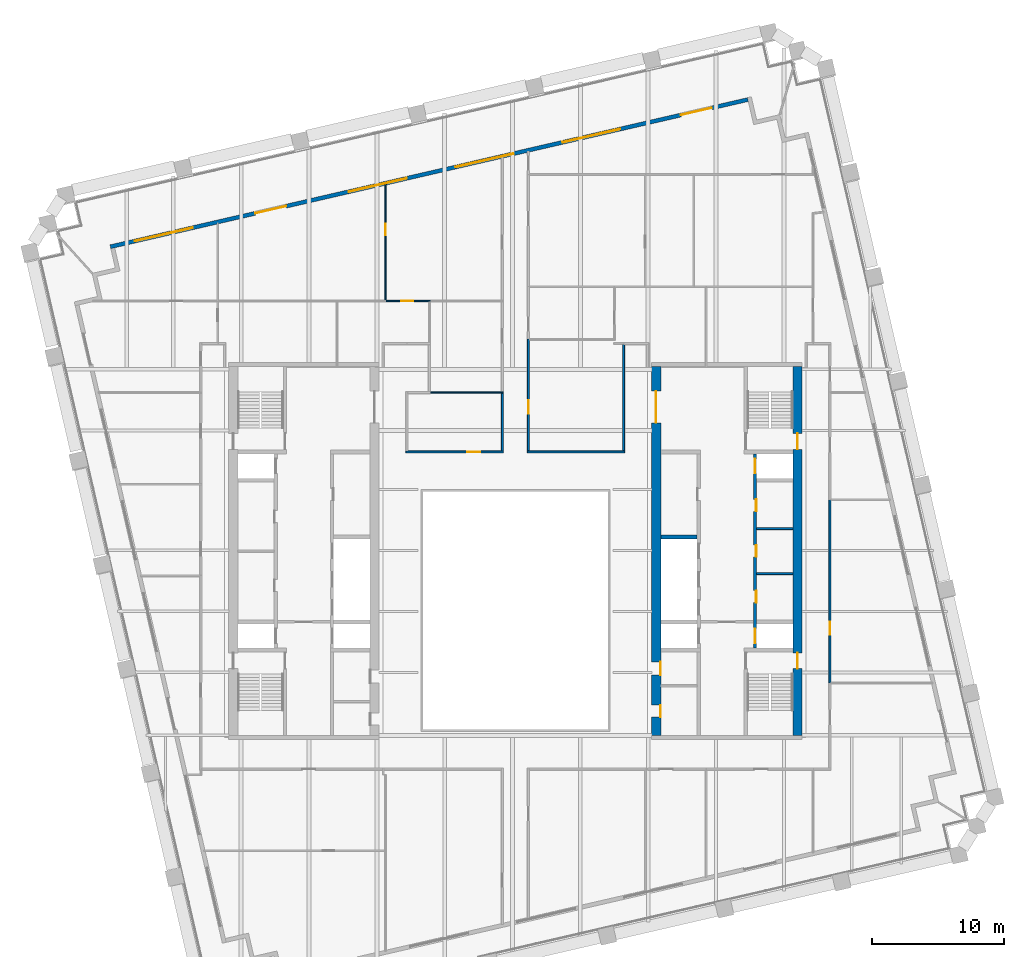
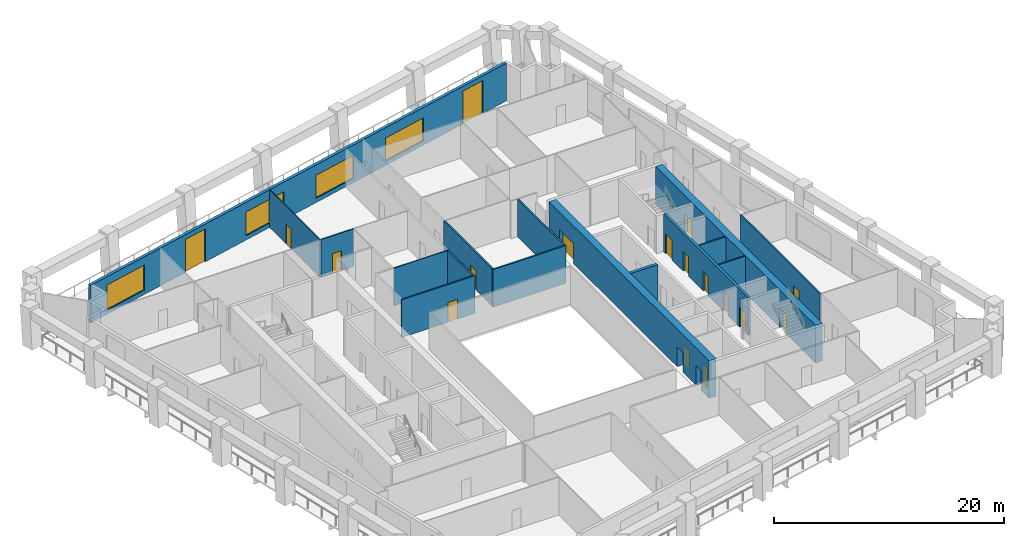
# One storey, part 7 of 10: 17 doors, 16 walls, 4 windows, 21 openings.
"""IFC4 building model written with IfcOpenShell, lengths in metres."""

from ifc_helpers import new_model, si_unit, direction, frame, frame_2d, origin, place, context, subcontext, project, spatial, rectangle, extrude, material, layer, layer_set, type_object, element, fill, save


model = new_model("IFC4")

# Units and contexts
model_context = context("Model", 3, precision=1e-05, world=origin(), true_north=direction((0.0, 1.0)))
body_context = subcontext(model_context, "Body", "Model", "MODEL_VIEW")
ifc_project = project(units=[si_unit("LENGTHUNIT", "METRE"), si_unit("AREAUNIT", "SQUARE_METRE"), si_unit("VOLUMEUNIT", "CUBIC_METRE"), si_unit("PLANEANGLEUNIT", "RADIAN"), si_unit("MASSUNIT", "GRAM", prefix="KILO")], contexts=[model_context])

# Site, building, storey
site_placement = place(None, origin())
site = spatial("IfcSite", under=ifc_project, at=site_placement, CompositionType="ELEMENT")
building_placement = place(site_placement, origin())
building = spatial("IfcBuilding", under=site, at=building_placement, Name="Ogive Exchange Tower", CompositionType="ELEMENT")
storey_placement = place(building_placement, frame((0.0, 0.0, 188.39990234375)))
storey = spatial("IfcBuildingStorey", under=building, at=storey_placement, Name="L41", CompositionType="ELEMENT", Elevation=188.39990234375)

# Walls
ifc_material_1 = material(Name="Gypsum board partition")
ifc_layer_1 = layer(ifc_material_1, 0.14990234375)
ifc_layer_set_1 = layer_set([ifc_layer_1], Name="Core room partition 150 gypsum")
wall_type_1 = type_object("IfcWallType", Name="Core room partition 150 gypsum", PredefinedType="PARTITIONING", material=ifc_layer_set_1)
for number, where, z_axis, x_axis, name in (
    (1, (18.25, 9.800048828125, 0.0), (0.0, 0.0, 1.0), (1.0, 0.0, 0.0), "E row A bay partition 1-1"),
    (2, (18.25, 13.199951171875, 0.0), (0.0, 0.0, 1.0), (1.0, 0.0, 0.0), "E row A bay partition 1-2"),
):
    element("IfcWall", number, at=place(storey_placement, frame(where, z_axis=z_axis, x_axis=x_axis)), inside=storey, type_object=wall_type_1, Name=name, PredefinedType="PARTITIONING", context=body_context, shape_type="SweptSolid", body=[
        extrude(rectangle(XDim=2.75, YDim=0.14990234375, at=frame_2d((1.375, 0.0))), origin(), (0.0, 0.0, 1.0), 4.0),
    ])

# Wall, opening, door
ifc_material_2 = material(Name="Fire partition EI 60 150")
ifc_layer_2 = layer(ifc_material_2, 0.14990234375)
ifc_layer_set_2 = layer_set([ifc_layer_2], Name="Fire partition EI 60 150")
wall_type_2 = type_object("IfcWallType", Name="Fire partition EI 60 150", PredefinedType="PARTITIONING", material=ifc_layer_set_2)
wall_1_placement = place(storey_placement, frame((-8.27490234375, 19.0, 0.0), z_axis=(0.0, 0.0, 1.0), x_axis=(1.0, 0.0, 0.0)))
wall_1 = element("IfcWall", 3, at=wall_1_placement, inside=storey, type_object=wall_type_2, Name="L41-PWL-028", PredefinedType="PARTITIONING", context=body_context, shape_type="SweptSolid", body=[
    extrude(rectangle(XDim=7.35986328125, YDim=0.14990234375, at=frame_2d((3.679931640625, 0.0))), origin(), (0.0, 0.0, 1.0), 4.0),
])
opening_1_placement = place(wall_1_placement, frame((4.635009765625, 0.0, 0.0)))
opening_1 = element("IfcOpeningElement", 4, at=opening_1_placement, cuts=wall_1, Name="Opening L41-I03", PredefinedType="OPENING", context=body_context, shape_type="SweptSolid", body=[
    extrude(rectangle(XDim=1.0, YDim=2.10009765625, at=frame_2d((0.5, 1.050048828125))), frame((0.0, 0.0849609375, 0.0), z_axis=(0.0, -1.0, 0.0), x_axis=(1.0, 0.0, 0.0)), (0.0, 0.0, 1.0), 0.169921875),
])
ifc_material_3 = material(Name="Fire door FD 30S 1000 x 2100")
door_type_1 = type_object("IfcDoorType", Name="Fire door FD 30S 1000 x 2100", OperationType="NOTDEFINED", PredefinedType="DOOR", material=ifc_material_3)
door_1_placement = place(opening_1_placement, origin())
door_1 = element("IfcDoor", 5, at=door_1_placement, inside=storey, type_object=door_type_1, Name="L41-IDR-003", ObjectType="DT3", OperationType="SINGLE_SWING_LEFT", OverallHeight=2.10009765625, OverallWidth=1.0, PredefinedType="DOOR", context=body_context, shape_type="SweptSolid", body=[
    extrude(rectangle(XDim=1.0, YDim=2.10009765625, at=frame_2d((0.5, 1.050048828125))), frame((0.0, 0.02490234375, 0.0), z_axis=(0.0, -1.0, 0.0), x_axis=(1.0, 0.0, 0.0)), (0.0, 0.0, 1.0), 0.050048828125),
])
fill(opening_1, door_1)

# Walls
wall_2_placement = place(storey_placement, frame((-0.989990234375, 19.074951171875, 0.0), z_axis=(0.0, 0.0, 1.0), x_axis=(0.0, 1.0, 0.0)))
element("IfcWall", 6, at=wall_2_placement, inside=storey, type_object=wall_type_2, Name="L41-PWL-038", PredefinedType="PARTITIONING", context=body_context, shape_type="SweptSolid", body=[
    extrude(rectangle(XDim=4.364990234375, YDim=0.14990234375, at=frame_2d((2.1826171875, 0.0))), origin(), (0.0, 0.0, 1.0), 4.0),
])
wall_3_placement = place(storey_placement, frame((0.9150390625, 19.0, 0.0), z_axis=(0.0, 0.0, 1.0), x_axis=(1.0, 0.0, 0.0)))
element("IfcWall", 7, at=wall_3_placement, inside=storey, type_object=wall_type_2, Name="L41-PWL-042", PredefinedType="PARTITIONING", context=body_context, shape_type="SweptSolid", body=[
    extrude(rectangle(XDim=7.349853515625, YDim=0.14990234375, at=frame_2d((3.6748046875, 0.0))), origin(), (0.0, 0.0, 1.0), 4.0),
])

# Wall, opening, door
wall_4_placement = place(storey_placement, frame((0.989990234375, 27.550048828125, 0.0), z_axis=(0.0, 0.0, 1.0), x_axis=(0.0, -1.0, 0.0)))
wall_4 = element("IfcWall", 8, at=wall_4_placement, inside=storey, type_object=wall_type_2, Name="L41-PWL-043", PredefinedType="PARTITIONING", context=body_context, shape_type="SweptSolid", body=[
    extrude(rectangle(XDim=8.47509765625, YDim=0.14990234375, at=frame_2d((4.237548828125, 0.0))), origin(), (0.0, 0.0, 1.0), 4.0),
])
opening_2_placement = place(wall_4_placement, frame((4.64990234375, 0.0, 0.0)))
opening_2 = element("IfcOpeningElement", 9, at=opening_2_placement, cuts=wall_4, Name="Opening L41-I23", PredefinedType="OPENING", context=body_context, shape_type="SweptSolid", body=[
    extrude(rectangle(XDim=1.0, YDim=2.10009765625, at=frame_2d((0.5, 1.050048828125))), frame((0.0, 0.0849609375, 0.0), z_axis=(0.0, -1.0, 0.0), x_axis=(1.0, 0.0, 0.0)), (0.0, 0.0, 1.0), 0.169921875),
])
door_2_placement = place(opening_2_placement, origin())
door_2 = element("IfcDoor", 10, at=door_2_placement, inside=storey, type_object=door_type_1, Name="L41-IDR-023", ObjectType="DT3", OperationType="SINGLE_SWING_LEFT", OverallHeight=2.10009765625, OverallWidth=1.0, PredefinedType="DOOR", context=body_context, shape_type="SweptSolid", body=[
    extrude(rectangle(XDim=1.0, YDim=2.10009765625, at=frame_2d((0.5, 1.050048828125))), frame((0.0, 0.02490234375, 0.0), z_axis=(0.0, -1.0, 0.0), x_axis=(1.0, 0.0, 0.0)), (0.0, 0.0, 1.0), 0.050048828125),
])
fill(opening_2, door_2)

# Wall
wall_5_placement = place(storey_placement, frame((8.18994140625, 19.074951171875, 0.0), z_axis=(0.0, 0.0, 1.0), x_axis=(0.0, 1.0, 0.0)))
element("IfcWall", 11, at=wall_5_placement, inside=storey, type_object=wall_type_2, Name="L41-PWL-053", PredefinedType="PARTITIONING", context=body_context, shape_type="SweptSolid", body=[
    extrude(rectangle(XDim=8.06494140625, YDim=0.14990234375, at=frame_2d((4.032470703125, 0.0))), origin(), (0.0, 0.0, 1.0), 4.0),
])

# Wall, opening, door
wall_6_placement = place(storey_placement, frame((23.800048828125, 15.429931640625, 0.0), z_axis=(0.0, 0.0, 1.0), x_axis=(0.0, -1.0, 0.0)))
wall_6 = element("IfcWall", 12, at=wall_6_placement, inside=storey, type_object=wall_type_2, Name="L41-PWL-080", PredefinedType="PARTITIONING", context=body_context, shape_type="SweptSolid", body=[
    extrude(rectangle(XDim=13.919921875, YDim=0.14990234375, at=frame_2d((6.9599609375, 0.0))), origin(), (0.0, 0.0, 1.0), 4.0),
])
opening_3_placement = place(wall_6_placement, frame((9.27001953125, 0.0, 0.0)))
opening_3 = element("IfcOpeningElement", 13, at=opening_3_placement, cuts=wall_6, Name="Opening L41-I19", PredefinedType="OPENING", context=body_context, shape_type="SweptSolid", body=[
    extrude(rectangle(XDim=1.0, YDim=2.10009765625, at=frame_2d((0.5, 1.050048828125))), frame((0.0, 0.0849609375, 0.0), z_axis=(0.0, -1.0, 0.0), x_axis=(1.0, 0.0, 0.0)), (0.0, 0.0, 1.0), 0.169921875),
])
door_3_placement = place(opening_3_placement, origin())
door_3 = element("IfcDoor", 14, at=door_3_placement, inside=storey, type_object=door_type_1, Name="L41-IDR-019", ObjectType="DT3", OperationType="SINGLE_SWING_LEFT", OverallHeight=2.10009765625, OverallWidth=1.0, PredefinedType="DOOR", context=body_context, shape_type="SweptSolid", body=[
    extrude(rectangle(XDim=1.0, YDim=2.10009765625, at=frame_2d((0.5, 1.050048828125))), frame((0.0, 0.02490234375, 0.0), z_axis=(0.0, -1.0, 0.0), x_axis=(1.0, 0.0, 0.0)), (0.0, 0.0, 1.0), 0.050048828125),
])
fill(opening_3, door_3)

# Wall, openings, doors, windows
ifc_material_4 = material(Name="Precast concrete C40/50", Category="concrete")
ifc_layer_3 = layer(ifc_material_4, 0.300048828125)
ifc_layer_set_3 = layer_set([ifc_layer_3], Name="Limestone-faced wall 300")
wall_type_3 = type_object("IfcWallType", Name="Limestone-faced wall 300", PredefinedType="STANDARD", material=ifc_layer_set_3)
wall_7_placement = place(storey_placement, frame((17.592041015625, 45.6572265625, 0.0), z_axis=(0.0, 0.0, 1.0), x_axis=(-0.974370243697, -0.224950279389, 0.0)))
wall_7 = element("IfcWall", 15, at=wall_7_placement, inside=storey, type_object=wall_type_3, Name="External wall N3", PredefinedType="STANDARD", context=body_context, shape_type="SweptSolid", body=[
    extrude(rectangle(XDim=49.499755859375, YDim=0.300048828125, at=frame_2d((24.75, 0.0))), origin(), (0.0, 0.0, 1.0), 4.0),
])
opening_4_placement = place(wall_7_placement, frame((2.800048828125, 0.0, 0.0)))
opening_4 = element("IfcOpeningElement", 16, at=opening_4_placement, cuts=wall_7, Name="Opening D1", PredefinedType="OPENING", context=body_context, shape_type="SweptSolid", body=[
    extrude(rectangle(XDim=2.39990234375, YDim=3.5, at=frame_2d((1.199951171875, 1.75))), frame((0.0, 0.159912109375, 0.0), z_axis=(0.0, -1.0, 0.0), x_axis=(1.0, 0.0, 0.0)), (0.0, 0.0, 1.0), 0.320068359375),
])
opening_5_placement = place(wall_7_placement, frame((9.89990234375, 0.0, 0.449951171875)))
opening_5 = element("IfcOpeningElement", 17, at=opening_5_placement, cuts=wall_7, Name="Opening W1Q", PredefinedType="OPENING", context=body_context, shape_type="SweptSolid", body=[
    extrude(rectangle(XDim=4.5, YDim=2.449951171875, at=frame_2d((2.25, 1.22509765625))), frame((0.0, 0.159912109375, 0.0), z_axis=(0.0, -1.0, 0.0), x_axis=(1.0, 0.0, 0.0)), (0.0, 0.0, 1.0), 0.320068359375),
])
opening_6_placement = place(wall_7_placement, frame((18.199951171875, 0.0, 0.449951171875)))
opening_6 = element("IfcOpeningElement", 18, at=opening_6_placement, cuts=wall_7, Name="Opening W1Q", PredefinedType="OPENING", context=body_context, shape_type="SweptSolid", body=[
    extrude(rectangle(XDim=4.5, YDim=2.449951171875, at=frame_2d((2.25, 1.22509765625))), frame((0.0, 0.159912109375, 0.0), z_axis=(0.0, -1.0, 0.0), x_axis=(1.0, 0.0, 0.0)), (0.0, 0.0, 1.0), 0.320068359375),
])
opening_7_placement = place(wall_7_placement, frame((26.5, 0.0, 0.449951171875)))
opening_7 = element("IfcOpeningElement", 19, at=opening_7_placement, cuts=wall_7, Name="Opening W1N", PredefinedType="OPENING", context=body_context, shape_type="SweptSolid", body=[
    extrude(rectangle(XDim=4.5, YDim=2.52490234375, at=frame_2d((2.25, 1.262451171875))), frame((0.0, 0.159912109375, 0.0), z_axis=(0.0, -1.0, 0.0), x_axis=(1.0, 0.0, 0.0)), (0.0, 0.0, 1.0), 0.320068359375),
])
opening_8_placement = place(wall_7_placement, frame((35.85009765625, 0.0, 0.0)))
opening_8 = element("IfcOpeningElement", 20, at=opening_8_placement, cuts=wall_7, Name="Opening D1", PredefinedType="OPENING", context=body_context, shape_type="SweptSolid", body=[
    extrude(rectangle(XDim=2.39990234375, YDim=3.5, at=frame_2d((1.199951171875, 1.75))), frame((0.0, 0.159912109375, 0.0), z_axis=(0.0, -1.0, 0.0), x_axis=(1.0, 0.0, 0.0)), (0.0, 0.0, 1.0), 0.320068359375),
])
opening_9_placement = place(wall_7_placement, frame((43.10009765625, 0.0, 0.449951171875)))
opening_9 = element("IfcOpeningElement", 21, at=opening_9_placement, cuts=wall_7, Name="Opening W1J", PredefinedType="OPENING", context=body_context, shape_type="SweptSolid", body=[
    extrude(rectangle(XDim=4.5, YDim=2.675048828125, at=frame_2d((2.25, 1.33740234375))), frame((0.0, 0.159912109375, 0.0), z_axis=(0.0, -1.0, 0.0), x_axis=(1.0, 0.0, 0.0)), (0.0, 0.0, 1.0), 0.320068359375),
])
ifc_material_5 = material(Name="Clear glass in bronze frame", Category="glass")
door_type_2 = type_object("IfcDoorType", Name="Sliding loggia door 2400 x 3500", OperationType="DOUBLE_DOOR_SLIDING", PredefinedType="DOOR", material=ifc_material_5)
door_4_placement = place(opening_4_placement, origin())
door_4 = element("IfcDoor", 22, at=door_4_placement, inside=storey, type_object=door_type_2, Name="Loggia door N00", OperationType="DOUBLE_DOOR_SLIDING", OverallHeight=3.5, OverallWidth=2.39990234375, PredefinedType="DOOR", context=body_context, shape_type="SweptSolid", body=[
    extrude(rectangle(XDim=2.39990234375, YDim=3.5, at=frame_2d((1.199951171875, 1.75))), frame((0.0, 0.02490234375, 0.0), z_axis=(0.0, -1.0, 0.0), x_axis=(1.0, 0.0, 0.0)), (0.0, 0.0, 1.0), 0.050048828125),
])
fill(opening_4, door_4)
door_5_placement = place(opening_8_placement, origin())
door_5 = element("IfcDoor", 23, at=door_5_placement, inside=storey, type_object=door_type_2, Name="Loggia door N04", OperationType="DOUBLE_DOOR_SLIDING", OverallHeight=3.5, OverallWidth=2.39990234375, PredefinedType="DOOR", context=body_context, shape_type="SweptSolid", body=[
    extrude(rectangle(XDim=2.39990234375, YDim=3.5, at=frame_2d((1.199951171875, 1.75))), frame((0.0, 0.02490234375, 0.0), z_axis=(0.0, -1.0, 0.0), x_axis=(1.0, 0.0, 0.0)), (0.0, 0.0, 1.0), 0.050048828125),
])
fill(opening_8, door_5)
window_type_1 = type_object("IfcWindowType", Name="Twin lancet window 4500 x 2450", PartitioningType="DOUBLE_PANEL_VERTICAL", PredefinedType="WINDOW", material=ifc_material_5)
window_1_placement = place(opening_5_placement, origin())
window_1 = element("IfcWindow", 24, at=window_1_placement, inside=storey, type_object=window_type_1, Name="Window N01", OverallHeight=2.449951171875, OverallWidth=4.5, PartitioningType="DOUBLE_PANEL_VERTICAL", PredefinedType="WINDOW", context=body_context, shape_type="SweptSolid", body=[
    extrude(rectangle(XDim=4.5, YDim=2.449951171875, at=frame_2d((2.25, 1.22509765625))), frame((0.0, 0.030029296875, 0.0), z_axis=(0.0, -1.0, 0.0), x_axis=(1.0, 0.0, 0.0)), (0.0, 0.0, 1.0), 0.06005859375),
])
fill(opening_5, window_1)
window_2_placement = place(opening_6_placement, origin())
window_2 = element("IfcWindow", 25, at=window_2_placement, inside=storey, type_object=window_type_1, Name="Window N02", OverallHeight=2.449951171875, OverallWidth=4.5, PartitioningType="DOUBLE_PANEL_VERTICAL", PredefinedType="WINDOW", context=body_context, shape_type="SweptSolid", body=[
    extrude(rectangle(XDim=4.5, YDim=2.449951171875, at=frame_2d((2.25, 1.22509765625))), frame((0.0, 0.030029296875, 0.0), z_axis=(0.0, -1.0, 0.0), x_axis=(1.0, 0.0, 0.0)), (0.0, 0.0, 1.0), 0.06005859375),
])
fill(opening_6, window_2)
window_type_2 = type_object("IfcWindowType", Name="Twin lancet window 4500 x 2525", PartitioningType="DOUBLE_PANEL_VERTICAL", PredefinedType="WINDOW", material=ifc_material_5)
window_3_placement = place(opening_7_placement, origin())
window_3 = element("IfcWindow", 26, at=window_3_placement, inside=storey, type_object=window_type_2, Name="Window N03", OverallHeight=2.52490234375, OverallWidth=4.5, PartitioningType="DOUBLE_PANEL_VERTICAL", PredefinedType="WINDOW", context=body_context, shape_type="SweptSolid", body=[
    extrude(rectangle(XDim=4.5, YDim=2.52490234375, at=frame_2d((2.25, 1.262451171875))), frame((0.0, 0.030029296875, 0.0), z_axis=(0.0, -1.0, 0.0), x_axis=(1.0, 0.0, 0.0)), (0.0, 0.0, 1.0), 0.06005859375),
])
fill(opening_7, window_3)
window_type_3 = type_object("IfcWindowType", Name="Twin lancet window 4500 x 2675", PartitioningType="DOUBLE_PANEL_VERTICAL", PredefinedType="WINDOW", material=ifc_material_5)
window_4_placement = place(opening_9_placement, origin())
window_4 = element("IfcWindow", 27, at=window_4_placement, inside=storey, type_object=window_type_3, Name="Window N05", OverallHeight=2.675048828125, OverallWidth=4.5, PartitioningType="DOUBLE_PANEL_VERTICAL", PredefinedType="WINDOW", context=body_context, shape_type="SweptSolid", body=[
    extrude(rectangle(XDim=4.5, YDim=2.675048828125, at=frame_2d((2.25, 1.33740234375))), frame((0.0, 0.030029296875, 0.0), z_axis=(0.0, -1.0, 0.0), x_axis=(1.0, 0.0, 0.0)), (0.0, 0.0, 1.0), 0.06005859375),
])
fill(opening_9, window_4)

# Wall, opening, door
ifc_material_6 = material(Name="Partition 100 gypsum")
ifc_layer_4 = layer(ifc_material_6, 0.10009765625)
ifc_layer_set_4 = layer_set([ifc_layer_4], Name="Partition 100 gypsum")
wall_type_4 = type_object("IfcWallType", Name="Partition 100 gypsum", PredefinedType="PARTITIONING", material=ifc_layer_set_4)
wall_8_placement = place(storey_placement, frame((-9.830078125, 30.469970703125, 0.0), z_axis=(0.0, 0.0, 1.0), x_axis=(0.0, 1.0, 0.0)))
wall_8 = element("IfcWall", 28, at=wall_8_placement, inside=storey, type_object=wall_type_4, Name="L41-PWL-026", PredefinedType="PARTITIONING", context=body_context, shape_type="SweptSolid", body=[
    extrude(rectangle(XDim=8.784912109375, YDim=0.10009765625, at=frame_2d((4.392578125, 0.0))), origin(), (0.0, 0.0, 1.0), 4.0),
])
opening_10_placement = place(wall_8_placement, frame((4.909912109375, 0.0, 0.0)))
opening_10 = element("IfcOpeningElement", 29, at=opening_10_placement, cuts=wall_8, Name="Opening L41-I08", PredefinedType="OPENING", context=body_context, shape_type="SweptSolid", body=[
    extrude(rectangle(XDim=0.89990234375, YDim=2.10009765625, at=frame_2d((0.449951171875, 1.050048828125))), frame((0.0, 0.06005859375, 0.0), z_axis=(0.0, -1.0, 0.0), x_axis=(1.0, 0.0, 0.0)), (0.0, 0.0, 1.0), 0.1201171875),
])
ifc_material_7 = material(Name="Door 900 x 2100")
door_type_3 = type_object("IfcDoorType", Name="Door 900 x 2100", OperationType="NOTDEFINED", PredefinedType="DOOR", material=ifc_material_7)
door_6_placement = place(opening_10_placement, frame((0.89990234375, 0.0, 0.0), z_axis=(0.0, 0.0, 1.0), x_axis=(-1.0, 0.0, 0.0)))
door_6 = element("IfcDoor", 30, at=door_6_placement, inside=storey, type_object=door_type_3, Name="L41-IDR-008", ObjectType="DT1", OperationType="SINGLE_SWING_RIGHT", OverallHeight=2.10009765625, OverallWidth=0.89990234375, PredefinedType="DOOR", context=body_context, shape_type="SweptSolid", body=[
    extrude(rectangle(XDim=0.89990234375, YDim=2.10009765625, at=frame_2d((0.449951171875, 1.050048828125))), frame((0.0, 0.02490234375, 0.0), z_axis=(0.0, -1.0, 0.0), x_axis=(1.0, 0.0, 0.0)), (0.0, 0.0, 1.0), 0.050048828125),
])
fill(opening_10, door_6)

wall_9_placement = place(storey_placement, frame((-9.780029296875, 30.419921875, 0.0), z_axis=(0.0, 0.0, 1.0), x_axis=(1.0, 0.0, 0.0)))
wall_9 = element("IfcWall", 31, at=wall_9_placement, inside=storey, type_object=wall_type_4, Name="L41-PWL-027", PredefinedType="PARTITIONING", context=body_context, shape_type="SweptSolid", body=[
    extrude(rectangle(XDim=3.330078125, YDim=0.10009765625, at=frame_2d((1.6650390625, 0.0))), origin(), (0.0, 0.0, 1.0), 4.0),
])
opening_11_placement = place(wall_9_placement, frame((1.14990234375, 0.0, 0.0)))
opening_11 = element("IfcOpeningElement", 32, at=opening_11_placement, cuts=wall_9, Name="Opening L41-I05", PredefinedType="OPENING", context=body_context, shape_type="SweptSolid", body=[
    extrude(rectangle(XDim=0.89990234375, YDim=2.10009765625, at=frame_2d((0.449951171875, 1.050048828125))), frame((0.0, 0.06005859375, 0.0), z_axis=(0.0, -1.0, 0.0), x_axis=(1.0, 0.0, 0.0)), (0.0, 0.0, 1.0), 0.1201171875),
])
door_7_placement = place(opening_11_placement, frame((0.89990234375, 0.0, 0.0), z_axis=(0.0, 0.0, 1.0), x_axis=(-1.0, 0.0, 0.0)))
door_7 = element("IfcDoor", 33, at=door_7_placement, inside=storey, type_object=door_type_3, Name="L41-IDR-005", ObjectType="DT1", OperationType="SINGLE_SWING_RIGHT", OverallHeight=2.10009765625, OverallWidth=0.89990234375, PredefinedType="DOOR", context=body_context, shape_type="SweptSolid", body=[
    extrude(rectangle(XDim=0.89990234375, YDim=2.10009765625, at=frame_2d((0.449951171875, 1.050048828125))), frame((0.0, 0.02490234375, 0.0), z_axis=(0.0, -1.0, 0.0), x_axis=(1.0, 0.0, 0.0)), (0.0, 0.0, 1.0), 0.050048828125),
])
fill(opening_11, door_7)

# Wall
wall_10_placement = place(storey_placement, frame((-6.425048828125, 23.489990234375, 0.0), z_axis=(0.0, 0.0, 1.0), x_axis=(1.0, 0.0, 0.0)))
element("IfcWall", 34, at=wall_10_placement, inside=storey, type_object=wall_type_4, Name="L41-PWL-032", PredefinedType="PARTITIONING", context=body_context, shape_type="SweptSolid", body=[
    extrude(rectangle(XDim=5.510009765625, YDim=0.10009765625, at=frame_2d((2.7548828125, 0.0))), origin(), (0.0, 0.0, 1.0), 4.0),
])

# Wall, openings, doors
ifc_material_8 = material(Name="Concrete C70/85", Category="concrete")
ifc_layer_5 = layer(ifc_material_8, 0.25)
ifc_layer_set_5 = layer_set([ifc_layer_5], Name="RC core wall 250 C70/85")
wall_type_5 = type_object("IfcWallType", Name="RC core wall 250 C70/85", PredefinedType="SHEAR", material=ifc_layer_set_5)
wall_11_placement = place(storey_placement, frame((18.125, 4.14990234375, 0.0), z_axis=(0.0, 0.0, 1.0), x_axis=(0.0, 1.0, 0.0)))
wall_11 = element("IfcWall", 35, at=wall_11_placement, inside=storey, type_object=wall_type_5, Name="E row A front wall", PredefinedType="SHEAR", context=body_context, shape_type="SweptSolid", body=[
    extrude(rectangle(XDim=14.7001953125, YDim=0.25, at=frame_2d((7.35009765625, 0.0))), origin(), (0.0, 0.0, 1.0), 4.0),
])
opening_12_placement = place(wall_11_placement, frame((3.4462890625, 0.0, 0.0)))
opening_12 = element("IfcOpeningElement", 36, at=opening_12_placement, cuts=wall_11, Name="Opening L41-C18", PredefinedType="OPENING", context=body_context, shape_type="SweptSolid", body=[
    extrude(rectangle(XDim=0.89990234375, YDim=2.10009765625, at=frame_2d((0.449951171875, 1.050048828125))), frame((0.0, 0.135009765625, 0.0), z_axis=(0.0, -1.0, 0.0), x_axis=(1.0, 0.0, 0.0)), (0.0, 0.0, 1.0), 0.27001953125),
])
opening_13_placement = place(wall_11_placement, frame((6.89990234375, 0.0, 0.0)))
opening_13 = element("IfcOpeningElement", 37, at=opening_13_placement, cuts=wall_11, Name="Opening L41-C19", PredefinedType="OPENING", context=body_context, shape_type="SweptSolid", body=[
    extrude(rectangle(XDim=0.89990234375, YDim=2.10009765625, at=frame_2d((0.449951171875, 1.050048828125))), frame((0.0, 0.135009765625, 0.0), z_axis=(0.0, -1.0, 0.0), x_axis=(1.0, 0.0, 0.0)), (0.0, 0.0, 1.0), 0.27001953125),
])
opening_14_placement = place(wall_11_placement, frame((10.353515625, 0.0, 0.0)))
opening_14 = element("IfcOpeningElement", 38, at=opening_14_placement, cuts=wall_11, Name="Opening L41-C20", PredefinedType="OPENING", context=body_context, shape_type="SweptSolid", body=[
    extrude(rectangle(XDim=0.89990234375, YDim=2.10009765625, at=frame_2d((0.449951171875, 1.050048828125))), frame((0.0, 0.135009765625, 0.0), z_axis=(0.0, -1.0, 0.0), x_axis=(1.0, 0.0, 0.0)), (0.0, 0.0, 1.0), 0.27001953125),
])
opening_15_placement = place(wall_11_placement, frame((0.371337890625, 0.0, 0.0)))
opening_15 = element("IfcOpeningElement", 39, at=opening_15_placement, cuts=wall_11, Name="Opening L41-C21", PredefinedType="OPENING", context=body_context, shape_type="SweptSolid", body=[
    extrude(rectangle(XDim=1.10009765625, YDim=2.10009765625, at=frame_2d((0.550048828125, 1.050048828125))), frame((0.0, 0.135009765625, 0.0), z_axis=(0.0, -1.0, 0.0), x_axis=(1.0, 0.0, 0.0)), (0.0, 0.0, 1.0), 0.27001953125),
])
opening_16_placement = place(wall_11_placement, frame((13.228515625, 0.0, 0.0)))
opening_16 = element("IfcOpeningElement", 40, at=opening_16_placement, cuts=wall_11, Name="Opening L41-C22", PredefinedType="OPENING", context=body_context, shape_type="SweptSolid", body=[
    extrude(rectangle(XDim=1.10009765625, YDim=2.10009765625, at=frame_2d((0.550048828125, 1.050048828125))), frame((0.0, 0.135009765625, 0.0), z_axis=(0.0, -1.0, 0.0), x_axis=(1.0, 0.0, 0.0)), (0.0, 0.0, 1.0), 0.27001953125),
])
ifc_material_9 = material(Name="Timber fire door", Category="wood")
door_type_4 = type_object("IfcDoorType", Name="Core room door FD30S 900 x 2100", OperationType="NOTDEFINED", PredefinedType="DOOR", material=ifc_material_9)
door_8_placement = place(opening_14_placement, frame((0.89990234375, -0.2001953125, 0.0), z_axis=(0.0, 0.0, 1.0), x_axis=(-1.0, 0.0, 0.0)))
door_8 = element("IfcDoor", 41, at=door_8_placement, inside=storey, type_object=door_type_4, Name="Core room door", ObjectType="CD6", OperationType="SINGLE_SWING_RIGHT", OverallHeight=2.10009765625, OverallWidth=0.89990234375, PredefinedType="DOOR", context=body_context, shape_type="SweptSolid", body=[
    extrude(rectangle(XDim=0.89990234375, YDim=2.10009765625, at=frame_2d((0.449951171875, 1.050048828125))), frame((0.0, -0.0751953125, 0.0), z_axis=(0.0, -1.0, 0.0), x_axis=(1.0, 0.0, 0.0)), (0.0, 0.0, 1.0), 0.050048828125),
])
fill(opening_14, door_8)
ifc_material_10 = material(Name="Stainless steel", Category="steel")
door_type_5 = type_object("IfcDoorType", Name="Lift landing door FD90 1100 x 2100", OperationType="SLIDING_TO_LEFT", PredefinedType="DOOR", material=ifc_material_10)
door_9_placement = place(opening_15_placement, origin())
door_9 = element("IfcDoor", 42, at=door_9_placement, inside=storey, type_object=door_type_5, Name="Lift landing door FF2", ObjectType="LD", OperationType="SLIDING_TO_LEFT", OverallHeight=2.10009765625, OverallWidth=1.10009765625, PredefinedType="DOOR", context=body_context, shape_type="SweptSolid", body=[
    extrude(rectangle(XDim=1.10009765625, YDim=2.10009765625, at=frame_2d((0.550048828125, 1.050048828125))), frame((0.0, 0.02490234375, 0.0), z_axis=(0.0, -1.0, 0.0), x_axis=(1.0, 0.0, 0.0)), (0.0, 0.0, 1.0), 0.050048828125),
])
fill(opening_15, door_9)
door_10_placement = place(opening_16_placement, origin())
door_10 = element("IfcDoor", 43, at=door_10_placement, inside=storey, type_object=door_type_5, Name="Lift landing door E-SH2", ObjectType="LD", OperationType="SLIDING_TO_LEFT", OverallHeight=2.10009765625, OverallWidth=1.10009765625, PredefinedType="DOOR", context=body_context, shape_type="SweptSolid", body=[
    extrude(rectangle(XDim=1.10009765625, YDim=2.10009765625, at=frame_2d((0.550048828125, 1.050048828125))), frame((0.0, 0.02490234375, 0.0), z_axis=(0.0, -1.0, 0.0), x_axis=(1.0, 0.0, 0.0)), (0.0, 0.0, 1.0), 0.050048828125),
])
fill(opening_16, door_10)
ifc_material_11 = material(Name="Steel fire door", Category="steel")
door_type_6 = type_object("IfcDoorType", Name="Riser door FD60 900 x 2100", OperationType="NOTDEFINED", PredefinedType="DOOR", material=ifc_material_11)
door_11_placement = place(opening_12_placement, frame((0.89990234375, -0.2001953125, 0.0), z_axis=(0.0, 0.0, 1.0), x_axis=(-1.0, 0.0, 0.0)))
door_11 = element("IfcDoor", 44, at=door_11_placement, inside=storey, type_object=door_type_6, Name="Riser door", ObjectType="CD2", OperationType="SINGLE_SWING_LEFT", OverallHeight=2.10009765625, OverallWidth=0.89990234375, PredefinedType="DOOR", context=body_context, shape_type="SweptSolid", body=[
    extrude(rectangle(XDim=0.89990234375, YDim=2.10009765625, at=frame_2d((0.449951171875, 1.050048828125))), frame((0.0, -0.0751953125, 0.0), z_axis=(0.0, -1.0, 0.0), x_axis=(1.0, 0.0, 0.0)), (0.0, 0.0, 1.0), 0.050048828125),
])
fill(opening_12, door_11)
door_12_placement = place(opening_13_placement, frame((0.89990234375, -0.2001953125, 0.0), z_axis=(0.0, 0.0, 1.0), x_axis=(-1.0, 0.0, 0.0)))
door_12 = element("IfcDoor", 45, at=door_12_placement, inside=storey, type_object=door_type_6, Name="Riser door", ObjectType="CD2", OperationType="SINGLE_SWING_LEFT", OverallHeight=2.10009765625, OverallWidth=0.89990234375, PredefinedType="DOOR", context=body_context, shape_type="SweptSolid", body=[
    extrude(rectangle(XDim=0.89990234375, YDim=2.10009765625, at=frame_2d((0.449951171875, 1.050048828125))), frame((0.0, -0.0751953125, 0.0), z_axis=(0.0, -1.0, 0.0), x_axis=(1.0, 0.0, 0.0)), (0.0, 0.0, 1.0), 0.050048828125),
])
fill(opening_13, door_12)

# Wall
ifc_layer_6 = layer(ifc_material_8, 0.300048828125)
ifc_layer_set_6 = layer_set([ifc_layer_6], Name="RC core wall 300 C70/85")
wall_type_6 = type_object("IfcWallType", Name="RC core wall 300 C70/85", PredefinedType="SHEAR", material=ifc_layer_set_6)
wall_12_placement = place(storey_placement, frame((11.0, 12.5712890625, 0.0), z_axis=(0.0, 0.0, 1.0), x_axis=(1.0, 0.0, 0.0)))
element("IfcWall", 46, at=wall_12_placement, inside=storey, type_object=wall_type_6, Name="E row B divider 4", PredefinedType="SHEAR", context=body_context, shape_type="SweptSolid", body=[
    extrude(rectangle(XDim=2.75, YDim=0.300048828125, at=frame_2d((1.375, 0.0))), origin(), (0.0, 0.0, 1.0), 4.0),
])

# Wall, openings, doors
ifc_layer_7 = layer(ifc_material_8, 0.699951171875)
ifc_layer_set_7 = layer_set([ifc_layer_7], Name="RC core wall 700 C70/85")
wall_type_7 = type_object("IfcWallType", Name="RC core wall 700 C70/85", PredefinedType="SHEAR", material=ifc_layer_set_7)
wall_13_placement = place(storey_placement, frame((21.35009765625, -2.449951171875, 0.0), z_axis=(0.0, 0.0, 1.0), x_axis=(0.0, 1.0, 0.0)))
wall_13 = element("IfcWall", 47, at=wall_13_placement, inside=storey, type_object=wall_type_7, Name="E outer wall", PredefinedType="SHEAR", context=body_context, shape_type="SweptSolid", body=[
    extrude(rectangle(XDim=27.89990234375, YDim=0.699951171875, at=frame_2d((13.949951171875, 0.0))), origin(), (0.0, 0.0, 1.0), 4.0),
])
opening_17_placement = place(wall_13_placement, frame((5.050048828125, 0.0, 0.0)))
opening_17 = element("IfcOpeningElement", 48, at=opening_17_placement, cuts=wall_13, Name="Opening L41-C31", PredefinedType="OPENING", context=body_context, shape_type="SweptSolid", body=[
    extrude(rectangle(XDim=1.199951171875, YDim=2.10009765625, at=frame_2d((0.60009765625, 1.050048828125))), frame((0.0, 0.35986328125, 0.0), z_axis=(0.0, -1.0, 0.0), x_axis=(1.0, 0.0, 0.0)), (0.0, 0.0, 1.0), 0.719970703125),
])
opening_18_placement = place(wall_13_placement, frame((21.64990234375, 0.0, 0.0)))
opening_18 = element("IfcOpeningElement", 49, at=opening_18_placement, cuts=wall_13, Name="Opening L41-C33", PredefinedType="OPENING", context=body_context, shape_type="SweptSolid", body=[
    extrude(rectangle(XDim=1.199951171875, YDim=2.10009765625, at=frame_2d((0.60009765625, 1.050048828125))), frame((0.0, 0.35986328125, 0.0), z_axis=(0.0, -1.0, 0.0), x_axis=(1.0, 0.0, 0.0)), (0.0, 0.0, 1.0), 0.719970703125),
])
door_type_7 = type_object("IfcDoorType", Name="Stair door FD90 1200 x 2100", OperationType="NOTDEFINED", PredefinedType="DOOR", material=ifc_material_11)
door_13_placement = place(opening_17_placement, origin())
door_13 = element("IfcDoor", 50, at=door_13_placement, inside=storey, type_object=door_type_7, Name="Stair door", ObjectType="CD5", OperationType="SINGLE_SWING_LEFT", OverallHeight=2.10009765625, OverallWidth=1.199951171875, PredefinedType="DOOR", context=body_context, shape_type="SweptSolid", body=[
    extrude(rectangle(XDim=1.199951171875, YDim=2.10009765625, at=frame_2d((0.60009765625, 1.050048828125))), frame((0.0, 0.02490234375, 0.0), z_axis=(0.0, -1.0, 0.0), x_axis=(1.0, 0.0, 0.0)), (0.0, 0.0, 1.0), 0.050048828125),
])
fill(opening_17, door_13)
door_14_placement = place(opening_18_placement, origin())
door_14 = element("IfcDoor", 51, at=door_14_placement, inside=storey, type_object=door_type_7, Name="Stair door", ObjectType="CD5", OperationType="SINGLE_SWING_RIGHT", OverallHeight=2.10009765625, OverallWidth=1.199951171875, PredefinedType="DOOR", context=body_context, shape_type="SweptSolid", body=[
    extrude(rectangle(XDim=1.199951171875, YDim=2.10009765625, at=frame_2d((0.60009765625, 1.050048828125))), frame((0.0, 0.02490234375, 0.0), z_axis=(0.0, -1.0, 0.0), x_axis=(1.0, 0.0, 0.0)), (0.0, 0.0, 1.0), 0.050048828125),
])
fill(opening_18, door_14)

wall_14_placement = place(storey_placement, frame((10.64990234375, -2.449951171875, 0.0), z_axis=(0.0, 0.0, 1.0), x_axis=(0.0, 1.0, 0.0)))
wall_14 = element("IfcWall", 52, at=wall_14_placement, inside=storey, type_object=wall_type_7, Name="E inner wall", PredefinedType="SHEAR", context=body_context, shape_type="SweptSolid", body=[
    extrude(rectangle(XDim=27.89990234375, YDim=0.699951171875, at=frame_2d((13.949951171875, 0.0))), origin(), (0.0, 0.0, 1.0), 4.0),
])
opening_19_placement = place(wall_14_placement, frame((23.64990234375, 0.0, 0.0)))
opening_19 = element("IfcOpeningElement", 53, at=opening_19_placement, cuts=wall_14, Name="Opening L41-C29", PredefinedType="OPENING", context=body_context, shape_type="SweptSolid", body=[
    extrude(rectangle(XDim=2.39990234375, YDim=2.10009765625, at=frame_2d((1.199951171875, 1.050048828125))), frame((0.0, 0.35986328125, 0.0), z_axis=(0.0, -1.0, 0.0), x_axis=(1.0, 0.0, 0.0)), (0.0, 0.0, 1.0), 0.719970703125),
])
opening_20_placement = place(wall_14_placement, frame((1.387451171875, 0.0, 0.0)))
opening_20 = element("IfcOpeningElement", 54, at=opening_20_placement, cuts=wall_14, Name="Opening L41-C34", PredefinedType="OPENING", context=body_context, shape_type="SweptSolid", body=[
    extrude(rectangle(XDim=0.89990234375, YDim=2.10009765625, at=frame_2d((0.449951171875, 1.050048828125))), frame((0.0, 0.35986328125, 0.0), z_axis=(0.0, -1.0, 0.0), x_axis=(1.0, 0.0, 0.0)), (0.0, 0.0, 1.0), 0.719970703125),
])
opening_21_placement = place(wall_14_placement, frame((4.5625, 0.0, 0.0)))
opening_21 = element("IfcOpeningElement", 55, at=opening_21_placement, cuts=wall_14, Name="Opening L41-C35", PredefinedType="OPENING", context=body_context, shape_type="SweptSolid", body=[
    extrude(rectangle(XDim=1.0, YDim=2.10009765625, at=frame_2d((0.5, 1.050048828125))), frame((0.0, 0.35986328125, 0.0), z_axis=(0.0, -1.0, 0.0), x_axis=(1.0, 0.0, 0.0)), (0.0, 0.0, 1.0), 0.719970703125),
])
door_type_8 = type_object("IfcDoorType", Name="Accessible WC door FD30S 1000 x 2100", OperationType="NOTDEFINED", PredefinedType="DOOR", material=ifc_material_9)
door_15_placement = place(opening_21_placement, frame((1.0, -0.64990234375, 0.0), z_axis=(0.0, 0.0, 1.0), x_axis=(-1.0, 0.0, 0.0)))
door_15 = element("IfcDoor", 56, at=door_15_placement, inside=storey, type_object=door_type_8, Name="Accessible WC door", ObjectType="CD7", OperationType="SINGLE_SWING_RIGHT", OverallHeight=2.10009765625, OverallWidth=1.0, PredefinedType="DOOR", context=body_context, shape_type="SweptSolid", body=[
    extrude(rectangle(XDim=1.0, YDim=2.10009765625, at=frame_2d((0.5, 1.050048828125))), frame((0.0, -0.2998046875, 0.0), z_axis=(0.0, -1.0, 0.0), x_axis=(1.0, 0.0, 0.0)), (0.0, 0.0, 1.0), 0.050048828125),
])
fill(opening_21, door_15)
door_16_placement = place(opening_20_placement, frame((0.89990234375, -0.64990234375, 0.0), z_axis=(0.0, 0.0, 1.0), x_axis=(-1.0, 0.0, 0.0)))
door_16 = element("IfcDoor", 57, at=door_16_placement, inside=storey, type_object=door_type_4, Name="Core room door", ObjectType="CD6", OperationType="SINGLE_SWING_RIGHT", OverallHeight=2.10009765625, OverallWidth=0.89990234375, PredefinedType="DOOR", context=body_context, shape_type="SweptSolid", body=[
    extrude(rectangle(XDim=0.89990234375, YDim=2.10009765625, at=frame_2d((0.449951171875, 1.050048828125))), frame((0.0, -0.2998046875, 0.0), z_axis=(0.0, -1.0, 0.0), x_axis=(1.0, 0.0, 0.0)), (0.0, 0.0, 1.0), 0.050048828125),
])
fill(opening_20, door_16)
ifc_material_12 = material(Name="Glazed steel fire door", Category="steel")
door_type_9 = type_object("IfcDoorType", Name="Lift lobby double door FD60 2400 x 2100", OperationType="DOUBLE_DOOR_SINGLE_SWING", PredefinedType="DOOR", material=ifc_material_12)
door_17_placement = place(opening_19_placement, origin())
door_17 = element("IfcDoor", 58, at=door_17_placement, inside=storey, type_object=door_type_9, Name="Lift lobby double door", ObjectType="CD4", OperationType="DOUBLE_DOOR_SINGLE_SWING", OverallHeight=2.10009765625, OverallWidth=2.39990234375, PredefinedType="DOOR", context=body_context, shape_type="SweptSolid", body=[
    extrude(rectangle(XDim=2.39990234375, YDim=2.10009765625, at=frame_2d((1.199951171875, 1.050048828125))), frame((0.0, 0.02490234375, 0.0), z_axis=(0.0, -1.0, 0.0), x_axis=(1.0, 0.0, 0.0)), (0.0, 0.0, 1.0), 0.050048828125),
])
fill(opening_19, door_17)

save(model, "model.ifc")
